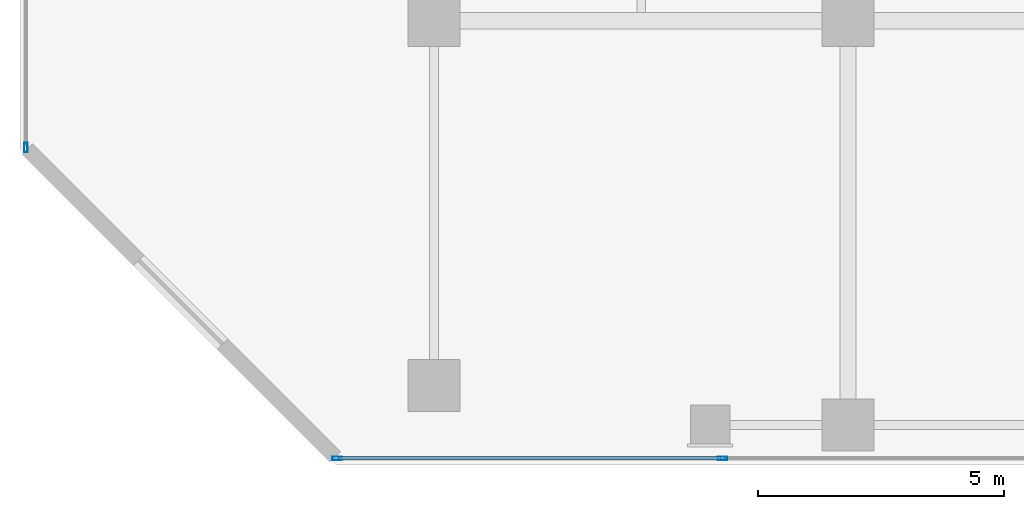
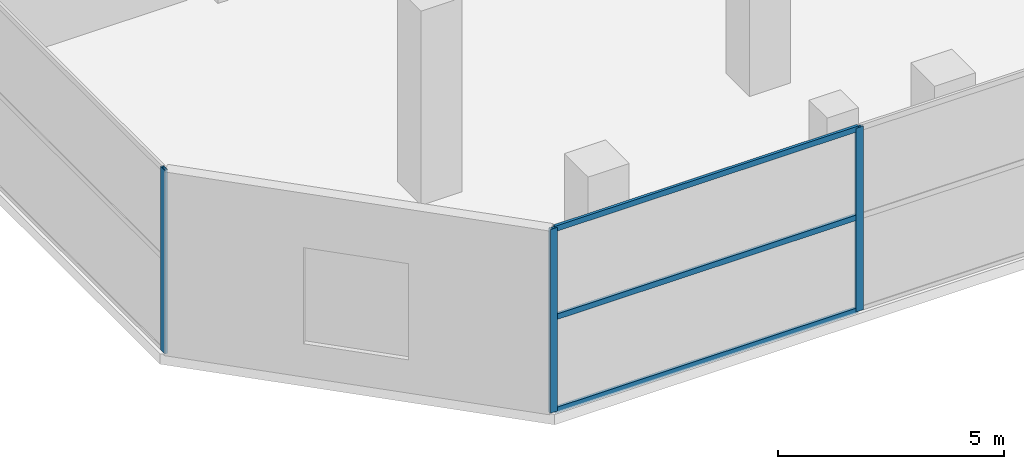
# One storey, part 2 of 40: 6 members, 2 elements without a shape of their own.
"""IFC4 building model written with IfcOpenShell, lengths in metres."""

from ifc_helpers import new_model, si_unit, direction, frame, origin, origin_2d, place, context, subcontext, project, spatial, hollow_rectangle, extrude, material, layer, layer_set, material_profile, profile_set, type_object, element, aggregate, save


model = new_model("IFC4")

# Units and contexts
model_context = context("Model", 3, precision=1e-05, world=origin(), true_north=direction((0.0, 1.0)))
body_context = subcontext(model_context, "Body", "Model", "MODEL_VIEW")
ifc_project = project(units=[si_unit("LENGTHUNIT", "METRE"), si_unit("AREAUNIT", "SQUARE_METRE"), si_unit("VOLUMEUNIT", "CUBIC_METRE"), si_unit("PLANEANGLEUNIT", "RADIAN"), si_unit("MASSUNIT", "GRAM", prefix="KILO")], contexts=[model_context])

# Site, building, storey
site_placement = place(None, origin())
site = spatial("IfcSite", under=ifc_project, at=site_placement, CompositionType="ELEMENT")
building_placement = place(site_placement, origin())
building = spatial("IfcBuilding", under=site, at=building_placement, Name="Maruvema Waterfront Hotel and Observation Tower", CompositionType="ELEMENT")
storey_placement = place(building_placement, frame((0.0, 0.0, 5.60009765625)))
storey = spatial("IfcBuildingStorey", under=building, at=storey_placement, Name="L01", CompositionType="ELEMENT", Elevation=5.60009765625)

# Curtain wall, members
ifc_material_1 = material(Name="Anodised bronze aluminium and solar-control low-E IGU", Category="aluminium")
ifc_layer = layer(ifc_material_1, 0.159912109375, Name="Podium Waterfront Storefront Curtain Wall System CW-01")
ifc_layer_set = layer_set([ifc_layer], Name="Anodised bronze aluminium and solar-control low-E IGU")
curtain_wall_type = type_object("IfcCurtainWallType", Name="Podium Waterfront Storefront Curtain Wall System CW-01", PredefinedType="USERDEFINED", material=ifc_layer_set)
curtain_wall_1_placement = place(storey_placement, origin())
curtain_wall_1 = element("IfcCurtainWall", 1, at=curtain_wall_1_placement, inside=storey, type_object=curtain_wall_type, Name="L01 Curtain Wall CW-L01-S", ObjectType="UNITISED CURTAIN WALL", PredefinedType="USERDEFINED")
ifc_material_2 = material(Name="Anodised architectural bronze aluminium", Category="aluminium")
ifc_material_profile_1 = material_profile(ifc_material_2, hollow_rectangle(XDim=0.070068359375, YDim=0.14990234375, WallThickness=0.00390625, at=origin_2d()), Name="ALU-T70x150")
ifc_profile_set_1 = profile_set([ifc_material_profile_1], Name="Anodised architectural bronze aluminium")
member_type_1 = type_object("IfcMemberType", Name="Curtain Wall Horizontal Transom ALU-T70x150", PredefinedType="USERDEFINED", material=ifc_profile_set_1)
member_1_placement = place(storey_placement, frame((6.4599609375, 0.1201171875, 0.02978515625), z_axis=(1.0, 0.0, 0.0), x_axis=(0.0, 1.0, 0.0)))
member_1 = element("IfcMember", 2, at=member_1_placement, type_object=member_type_1, Name="CW-01 transom 1.1", ObjectType="TRANSOM", PredefinedType="USERDEFINED", context=body_context, shape_type="SweptSolid", body=[
    extrude(hollow_rectangle(XDim=0.070068359375, YDim=0.14990234375, WallThickness=0.00390625, at=origin_2d()), origin(), (0.0, 0.0, 1.0), 7.760009765625),
])
member_2_placement = place(storey_placement, frame((6.4599609375, 0.1201171875, 2.5498046875), z_axis=(1.0, 0.0, 0.0), x_axis=(0.0, 1.0, 0.0)))
member_2 = element("IfcMember", 3, at=member_2_placement, type_object=member_type_1, Name="CW-01 transom 1.2", ObjectType="TRANSOM", PredefinedType="USERDEFINED", context=body_context, shape_type="SweptSolid", body=[
    extrude(hollow_rectangle(XDim=0.070068359375, YDim=0.14990234375, WallThickness=0.00390625, at=origin_2d()), origin(), (0.0, 0.0, 1.0), 7.760009765625),
])
member_3_placement = place(storey_placement, frame((6.4599609375, 0.1201171875, 4.93994140625), z_axis=(1.0, 0.0, 0.0), x_axis=(0.0, 1.0, 0.0)))
member_3 = element("IfcMember", 4, at=member_3_placement, type_object=member_type_1, Name="CW-01 transom 1.3", ObjectType="TRANSOM", PredefinedType="USERDEFINED", context=body_context, shape_type="SweptSolid", body=[
    extrude(hollow_rectangle(XDim=0.070068359375, YDim=0.14990234375, WallThickness=0.00390625, at=origin_2d()), origin(), (0.0, 0.0, 1.0), 7.760009765625),
])
ifc_material_3 = material(Name="Anodised architectural bronze aluminium", Category="aluminium")
ifc_material_profile_2 = material_profile(ifc_material_3, hollow_rectangle(XDim=0.070068359375, YDim=0.18994140625, WallThickness=0.00390625, at=origin_2d()), Name="ALU-M70x190")
ifc_profile_set_2 = profile_set([ifc_material_profile_2], Name="Anodised architectural bronze aluminium")
member_type_2 = type_object("IfcMemberType", Name="Podium Storefront Heavy Mullion ALU-M70x190", PredefinedType="MULLION", material=ifc_profile_set_2)
member_4_placement = place(storey_placement, frame((6.429931640625, 0.1201171875, 0.0), z_axis=(0.0, 0.0, 1.0), x_axis=(0.0, 1.0, 0.0)))
member_4 = element("IfcMember", 5, at=member_4_placement, type_object=member_type_2, Name="CW-01 mullion 1", PredefinedType="MULLION", context=body_context, shape_type="SweptSolid", body=[
    extrude(hollow_rectangle(XDim=0.070068359375, YDim=0.18994140625, WallThickness=0.00390625, at=origin_2d()), origin(), (0.0, 0.0, 1.0), 4.969970703125),
])
member_5_placement = place(storey_placement, frame((14.25, 0.1201171875, 0.0), z_axis=(0.0, 0.0, 1.0), x_axis=(0.0, 1.0, 0.0)))
member_5 = element("IfcMember", 6, at=member_5_placement, type_object=member_type_2, Name="CW-01 mullion 2", PredefinedType="MULLION", context=body_context, shape_type="SweptSolid", body=[
    extrude(hollow_rectangle(XDim=0.070068359375, YDim=0.18994140625, WallThickness=0.00390625, at=origin_2d()), origin(), (0.0, 0.0, 1.0), 4.969970703125),
])
aggregate(curtain_wall_1, [member_4, member_5, member_1, member_2, member_3])

# Curtain wall, member
curtain_wall_2_placement = place(storey_placement, origin())
curtain_wall_2 = element("IfcCurtainWall", 7, at=curtain_wall_2_placement, inside=storey, type_object=curtain_wall_type, Name="L01 Curtain Wall CW-L01-W", ObjectType="UNITISED CURTAIN WALL", PredefinedType="USERDEFINED")
member_6_placement = place(storey_placement, frame((0.1201171875, 6.429931640625, 0.0), z_axis=(0.0, 0.0, 1.0), x_axis=(1.0, 0.0, 0.0)))
member_6 = element("IfcMember", 8, at=member_6_placement, type_object=member_type_2, Name="CW-01 mullion 6", PredefinedType="MULLION", context=body_context, shape_type="SweptSolid", body=[
    extrude(hollow_rectangle(XDim=0.070068359375, YDim=0.18994140625, WallThickness=0.00390625, at=origin_2d()), origin(), (0.0, 0.0, 1.0), 4.969970703125),
])
aggregate(curtain_wall_2, [member_6])

save(model, "model.ifc")
